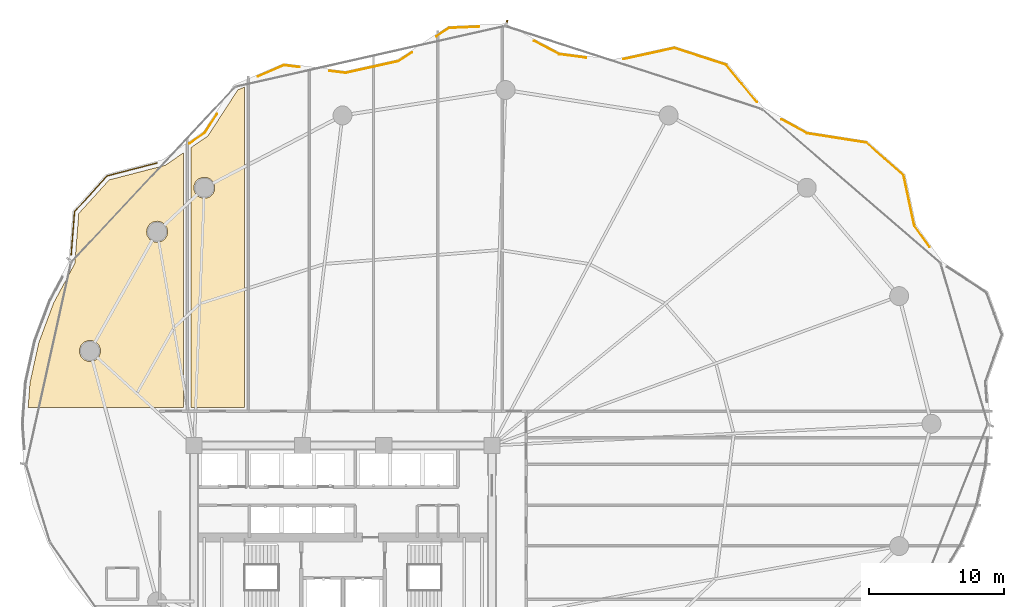
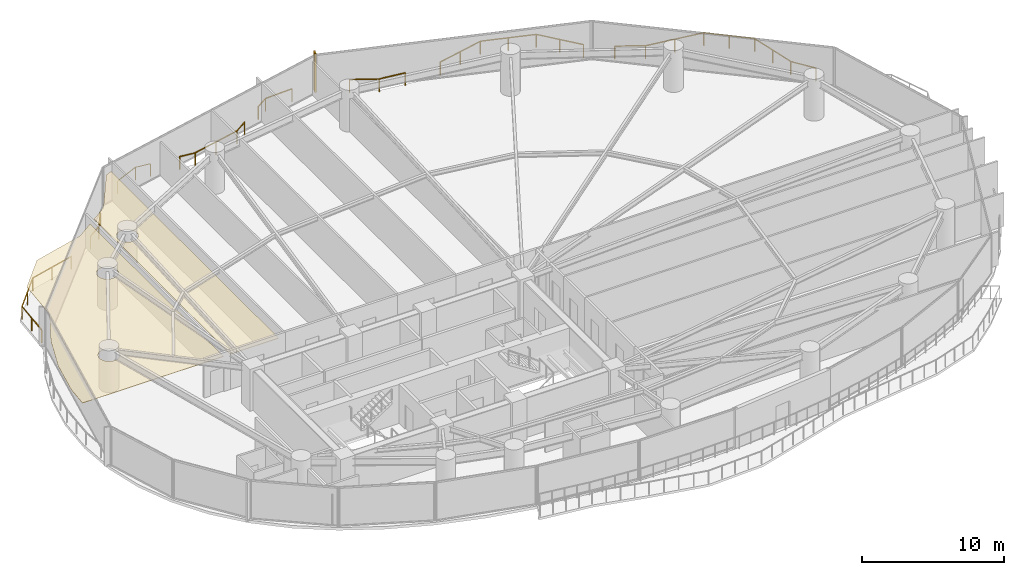
# One storey, part 32 of 33: 8 railings, 2 coverings, 1 shading device.
"""IFC4 building model written with IfcOpenShell, lengths in metres."""

from ifc_helpers import new_model, si_unit, direction, frame, origin, origin_2d, place, context, subcontext, project, spatial, polyline, rectangle, outline, extrude, material, layer, layer_set, type_object, element, save


model = new_model("IFC4")

# Units and contexts
model_context = context("Model", 3, precision=1e-05, world=origin(), true_north=direction((0.0, 1.0)))
body_context = subcontext(model_context, "Body", "Model", "MODEL_VIEW")
ifc_project = project(units=[si_unit("LENGTHUNIT", "METRE"), si_unit("AREAUNIT", "SQUARE_METRE"), si_unit("VOLUMEUNIT", "CUBIC_METRE"), si_unit("PLANEANGLEUNIT", "RADIAN"), si_unit("MASSUNIT", "GRAM", prefix="KILO")], contexts=[model_context])

# Site, building, storey
site_placement = place(None, origin())
site = spatial("IfcSite", under=ifc_project, at=site_placement, CompositionType="ELEMENT")
building_placement = place(site_placement, origin())
building = spatial("IfcBuilding", under=site, at=building_placement, Name="Kazevale Care Tower and Concert Hall", CompositionType="ELEMENT")
storey_placement = place(building_placement, frame((0.0, 0.0, 52.800048828125)))
storey = spatial("IfcBuildingStorey", under=building, at=storey_placement, Name="L13", CompositionType="ELEMENT", Elevation=52.800048828125)

# Coverings
ifc_material_1 = material(Name="Acoustic Plaster and Hinoki Wood", Category="wood")
ifc_layer = layer(ifc_material_1, 0.0400390625)
ifc_layer_set = layer_set([ifc_layer], Name="Acoustic Plaster and Hinoki Wood")
covering_type = type_object("IfcCoveringType", Name="Acoustic Perforated Wood-Gypsum Ceiling", PredefinedType="CEILING", material=ifc_layer_set)
covering_1_placement = place(storey_placement, frame((0.0, 0.0, 2.7099609375)))
element("IfcCovering", 1, at=covering_1_placement, inside=storey, type_object=covering_type, Name="clg:L13:1", PredefinedType="CEILING", context=body_context, shape_type="SweptSolid", body=[
    extrude(outline(polyline([(13.196044921875, 49.843017578125), (13.48291015625, 53.529052734375), (15.735107421875, 56.012939453125), (19.8798828125, 57.091064453125), (21.219970703125, 58.014892578125), (21.219970703125, 39.205078125), (9.7490234375, 39.205078125), (9.881103515625, 41.02392578125), (10.5400390625, 44.010986328125), (11.62890625, 46.925048828125), (13.196044921875, 49.843017578125)]), holes=[polyline([(19.990966796875, 52.47802734375), (19.822021484375, 52.73193359375), (19.568115234375, 52.90087890625), (19.27001953125, 52.9599609375), (18.971923828125, 52.90087890625), (18.718017578125, 52.73193359375), (18.549072265625, 52.47802734375), (18.489990234375, 52.179931640625), (18.549072265625, 51.882080078125), (18.718017578125, 51.6279296875), (18.971923828125, 51.458984375), (19.27001953125, 51.39990234375), (19.568115234375, 51.458984375), (19.822021484375, 51.6279296875), (19.990966796875, 51.882080078125), (20.050048828125, 52.179931640625), (19.990966796875, 52.47802734375)]), polyline([(15.074951171875, 43.531982421875), (14.958984375, 43.81298828125), (14.742919921875, 44.029052734375), (14.4619140625, 44.14501953125), (14.157958984375, 44.14501953125), (13.876953125, 44.029052734375), (13.660888671875, 43.81298828125), (13.544921875, 43.531982421875), (13.544921875, 43.22802734375), (13.660888671875, 42.947021484375), (13.876953125, 42.73095703125), (14.157958984375, 42.614990234375), (14.4619140625, 42.614990234375), (14.742919921875, 42.73095703125), (14.958984375, 42.947021484375), (15.074951171875, 43.22802734375), (15.074951171875, 43.531982421875)])]), origin(), (0.0, 0.0, 1.0), 0.0400390625),
])
covering_2_placement = place(storey_placement, frame((0.0, 0.0, 2.7099609375)))
element("IfcCovering", 2, at=covering_2_placement, inside=storey, type_object=covering_type, Name="clg:L13:2", PredefinedType="CEILING", context=body_context, shape_type="SweptSolid", body=[
    extrude(outline(polyline([(21.780029296875, 39.205078125), (21.780029296875, 58.39990234375), (23.014892578125, 59.2509765625), (25.22607421875, 62.654052734375), (25.719970703125, 62.866943359375), (25.719970703125, 39.205078125), (21.780029296875, 39.205078125)]), holes=[polyline([(23.52490234375, 55.58203125), (23.408935546875, 55.863037109375), (23.193115234375, 56.0791015625), (22.912109375, 56.195068359375), (22.60791015625, 56.195068359375), (22.326904296875, 56.0791015625), (22.111083984375, 55.863037109375), (21.9951171875, 55.58203125), (21.9951171875, 55.278076171875), (22.111083984375, 54.9970703125), (22.326904296875, 54.781005859375), (22.60791015625, 54.6650390625), (22.912109375, 54.6650390625), (23.193115234375, 54.781005859375), (23.408935546875, 54.9970703125), (23.52490234375, 55.278076171875), (23.52490234375, 55.58203125)])]), origin(), (0.0, 0.0, 1.0), 0.0400390625),
])

# Railings
ifc_material_2 = material(Name="Anodised Bronze Aluminium and Laminated Glass", Category="aluminium")
railing_type = type_object("IfcRailingType", Name="Balcony and Terrace Balustrade 1120", PredefinedType="BALUSTRADE", material=ifc_material_2)
railing_1_placement = place(storey_placement, frame((12.925048828125, 50.48291015625, 0.0)))
element("IfcRailing", 3, at=railing_1_placement, inside=storey, type_object=railing_type, Name="rail:L13:perim:2", PredefinedType="BALUSTRADE", context=body_context, shape_type="SweptSolid", body=[
    extrude(rectangle(XDim=0.048095703125, YDim=0.048095703125, at=origin_2d()), frame((0.0, 0.0, 1.09619140625), z_axis=(0.077457363228, 0.996995665428, 0.0), x_axis=(-0.996995665428, 0.077457363228, 0.0)), (0.0, 0.0, 1.0), 3.189697265625),
    extrude(rectangle(XDim=0.048095703125, YDim=0.048095703125, at=origin_2d()), frame((0.2470703125, 3.18017578125, 1.09619140625), z_axis=(0.67167834736, 0.740842896766, 0.0), x_axis=(-0.740842896766, 0.67167834736, 0.0)), (0.0, 0.0, 1.0), 3.55810546875),
    extrude(rectangle(XDim=0.048095703125, YDim=0.048095703125, at=origin_2d()), frame((2.636962890625, 5.816162109375, 1.09619140625), z_axis=(0.967833691326, 0.251590830384, 0.0), x_axis=(-0.251590830384, 0.967833691326, 0.0)), (0.0, 0.0, 1.0), 3.8271484375),
    extrude(rectangle(XDim=0.0419921875, YDim=0.0419921875, at=origin_2d()), origin(), (0.0, 0.0, 1.0), 1.072021484375),
    extrude(rectangle(XDim=0.0419921875, YDim=0.0419921875, at=origin_2d()), frame((0.12353515625, 1.590087890625, 0.0)), (0.0, 0.0, 1.0), 1.072021484375),
    extrude(rectangle(XDim=0.0419921875, YDim=0.0419921875, at=origin_2d()), frame((0.2470703125, 3.18017578125, 0.0)), (0.0, 0.0, 1.0), 1.072021484375),
    extrude(rectangle(XDim=0.0419921875, YDim=0.0419921875, at=origin_2d()), frame((1.44189453125, 4.498046875, 0.0)), (0.0, 0.0, 1.0), 1.072021484375),
    extrude(rectangle(XDim=0.0419921875, YDim=0.0419921875, at=origin_2d()), frame((2.636962890625, 5.816162109375, 0.0)), (0.0, 0.0, 1.0), 1.072021484375),
    extrude(rectangle(XDim=0.0419921875, YDim=0.0419921875, at=origin_2d()), frame((4.489013671875, 6.297607421875, 0.0)), (0.0, 0.0, 1.0), 1.072021484375),
    extrude(rectangle(XDim=0.0419921875, YDim=0.0419921875, at=origin_2d()), frame((6.341064453125, 6.779052734375, 0.0)), (0.0, 0.0, 1.0), 1.072021484375),
])
railing_2_placement = place(storey_placement, frame((21.65087890625, 58.699951171875, 0.0)))
element("IfcRailing", 4, at=railing_2_placement, inside=storey, type_object=railing_type, Name="rail:L13:perim:3", PredefinedType="BALUSTRADE", context=body_context, shape_type="SweptSolid", body=[
    extrude(rectangle(XDim=0.048095703125, YDim=0.048095703125, at=origin_2d()), frame((0.0, 0.0, 1.09619140625), z_axis=(0.823330292932, 0.56756253289, 0.0), x_axis=(-0.56756253289, 0.823330292932, 0.0)), (0.0, 0.0, 1.0), 1.37255859375),
    extrude(rectangle(XDim=0.048095703125, YDim=0.048095703125, at=origin_2d()), frame((1.130126953125, 0.779052734375, 1.09619140625), z_axis=(0.545340812874, 0.838214410407, 0.0), x_axis=(-0.838214410407, 0.545340812874, 0.0)), (0.0, 0.0, 1.0), 1.6796875),
    extrude(rectangle(XDim=0.0419921875, YDim=0.0419921875, at=origin_2d()), origin(), (0.0, 0.0, 1.0), 1.072021484375),
    extrude(rectangle(XDim=0.0419921875, YDim=0.0419921875, at=origin_2d()), frame((1.130126953125, 0.779052734375, 0.0)), (0.0, 0.0, 1.0), 1.072021484375),
    extrude(rectangle(XDim=0.0419921875, YDim=0.0419921875, at=origin_2d()), frame((2.046142578125, 2.18701171875, 0.0)), (0.0, 0.0, 1.0), 1.072021484375),
])
railing_3_placement = place(storey_placement, frame((26.70703125, 63.64306640625, 0.0)))
element("IfcRailing", 5, at=railing_3_placement, inside=storey, type_object=railing_type, Name="rail:L13:perim:4", PredefinedType="BALUSTRADE", context=body_context, shape_type="SweptSolid", body=[
    extrude(rectangle(XDim=0.048095703125, YDim=0.048095703125, at=origin_2d()), frame((0.0, 0.0, 1.09619140625), z_axis=(0.917761192616, 0.397132715007, 0.0), x_axis=(-0.397132715007, 0.917761192616, 0.0)), (0.0, 0.0, 1.0), 2.107421875),
    extrude(rectangle(XDim=0.048095703125, YDim=0.048095703125, at=origin_2d()), frame((1.93408203125, 0.8369140625, 1.09619140625), z_axis=(0.992136908777, -0.125157317977, 0.0), x_axis=(0.125157317977, 0.992136908777, 0.0)), (0.0, 0.0, 1.0), 1.15087890625),
    extrude(rectangle(XDim=0.0419921875, YDim=0.0419921875, at=origin_2d()), origin(), (0.0, 0.0, 1.0), 1.072021484375),
    extrude(rectangle(XDim=0.0419921875, YDim=0.0419921875, at=origin_2d()), frame((1.93408203125, 0.8369140625, 0.0)), (0.0, 0.0, 1.0), 1.072021484375),
    extrude(rectangle(XDim=0.0419921875, YDim=0.0419921875, at=origin_2d()), frame((3.075927734375, 0.69287109375, 0.0)), (0.0, 0.0, 1.0), 1.072021484375),
])
railing_4_placement = place(storey_placement, frame((32.001953125, 64.05810546875, 0.0)))
element("IfcRailing", 6, at=railing_4_placement, inside=storey, type_object=railing_type, Name="rail:L13:perim:5", PredefinedType="BALUSTRADE", context=body_context, shape_type="SweptSolid", body=[
    extrude(rectangle(XDim=0.048095703125, YDim=0.048095703125, at=origin_2d()), frame((0.0, 0.0, 1.09619140625), z_axis=(0.992119329578, -0.125296591644, 0.0), x_axis=(0.125296591644, 0.992119329578, 0.0)), (0.0, 0.0, 1.0), 1.1904296875),
    extrude(rectangle(XDim=0.048095703125, YDim=0.048095703125, at=origin_2d()), frame((1.18115234375, -0.149169921875, 1.09619140625), z_axis=(0.976178445537, 0.216969220097, 0.0), x_axis=(-0.216969220097, 0.976178445537, 0.0)), (0.0, 0.0, 1.0), 4.001220703125),
    extrude(rectangle(XDim=0.048095703125, YDim=0.048095703125, at=origin_2d()), frame((5.087158203125, 0.718994140625, 1.09619140625), z_axis=(0.835832367502, 0.548984747908, 0.0), x_axis=(-0.548984747908, 0.835832367502, 0.0)), (0.0, 0.0, 1.0), 1.185546875),
    extrude(rectangle(XDim=0.0419921875, YDim=0.0419921875, at=origin_2d()), origin(), (0.0, 0.0, 1.0), 1.072021484375),
    extrude(rectangle(XDim=0.0419921875, YDim=0.0419921875, at=origin_2d()), frame((1.18115234375, -0.149169921875, 0.0)), (0.0, 0.0, 1.0), 1.072021484375),
    extrude(rectangle(XDim=0.0419921875, YDim=0.0419921875, at=origin_2d()), frame((3.13427734375, 0.284912109375, 0.0)), (0.0, 0.0, 1.0), 1.072021484375),
    extrude(rectangle(XDim=0.0419921875, YDim=0.0419921875, at=origin_2d()), frame((5.087158203125, 0.718994140625, 0.0)), (0.0, 0.0, 1.0), 1.072021484375),
    extrude(rectangle(XDim=0.0419921875, YDim=0.0419921875, at=origin_2d()), frame((6.078125, 1.369873046875, 0.0)), (0.0, 0.0, 1.0), 1.072021484375),
])
railing_5_placement = place(storey_placement, frame((39.885986328125, 66.614013671875, 0.0)))
element("IfcRailing", 7, at=railing_5_placement, inside=storey, type_object=railing_type, Name="rail:L13:perim:6", PredefinedType="BALUSTRADE", context=body_context, shape_type="SweptSolid", body=[
    extrude(rectangle(XDim=0.048095703125, YDim=0.048095703125, at=origin_2d()), frame((0.0, 0.0, 1.09619140625), z_axis=(0.835903517622, 0.548876406149, 0.0), x_axis=(-0.548876406149, 0.835903517622, 0.0)), (0.0, 0.0, 1.0), 1.115234375),
    extrude(rectangle(XDim=0.048095703125, YDim=0.048095703125, at=origin_2d()), frame((0.93212890625, 0.612060546875, 1.09619140625), z_axis=(0.999043859493, 0.043719181241, 0.0), x_axis=(-0.043719181241, 0.999043859493, 0.0)), (0.0, 0.0, 1.0), 2.217041015625),
    extrude(rectangle(XDim=0.0419921875, YDim=0.0419921875, at=origin_2d()), origin(), (0.0, 0.0, 1.0), 1.072021484375),
    extrude(rectangle(XDim=0.0419921875, YDim=0.0419921875, at=origin_2d()), frame((0.93212890625, 0.612060546875, 0.0)), (0.0, 0.0, 1.0), 1.072021484375),
    extrude(rectangle(XDim=0.0419921875, YDim=0.0419921875, at=origin_2d()), frame((3.14697265625, 0.708984375, 0.0)), (0.0, 0.0, 1.0), 1.072021484375),
])
railing_6_placement = place(storey_placement, frame((47.115966796875, 66.27001953125, 0.0)))
element("IfcRailing", 8, at=railing_6_placement, inside=storey, type_object=railing_type, Name="rail:L13:perim:7", PredefinedType="BALUSTRADE", context=body_context, shape_type="SweptSolid", body=[
    extrude(rectangle(XDim=0.048095703125, YDim=0.048095703125, at=origin_2d()), frame((0.0, 0.0, 1.09619140625), z_axis=(0.883776562896, -0.467909165198, 0.0), x_axis=(0.467909165198, 0.883776562896, 0.0)), (0.0, 0.0, 1.0), 2.09228515625),
    extrude(rectangle(XDim=0.048095703125, YDim=0.048095703125, at=origin_2d()), frame((1.84912109375, -0.97900390625, 1.09619140625), z_axis=(0.991534086176, -0.129846663223, 0.0), x_axis=(0.129846663223, 0.991534086176, 0.0)), (0.0, 0.0, 1.0), 1.994873046875),
    extrude(rectangle(XDim=0.0419921875, YDim=0.0419921875, at=origin_2d()), origin(), (0.0, 0.0, 1.0), 1.072021484375),
    extrude(rectangle(XDim=0.0419921875, YDim=0.0419921875, at=origin_2d()), frame((1.84912109375, -0.97900390625, 0.0)), (0.0, 0.0, 1.0), 1.072021484375),
    extrude(rectangle(XDim=0.0419921875, YDim=0.0419921875, at=origin_2d()), frame((3.8271484375, -1.238037109375, 0.0)), (0.0, 0.0, 1.0), 1.072021484375),
])
railing_7_placement = place(storey_placement, frame((53.72509765625, 64.929931640625, 0.0)))
element("IfcRailing", 9, at=railing_7_placement, inside=storey, type_object=railing_type, Name="rail:L13:perim:8", PredefinedType="BALUSTRADE", context=body_context, shape_type="SweptSolid", body=[
    extrude(rectangle(XDim=0.048095703125, YDim=0.048095703125, at=origin_2d()), frame((0.0, 0.0, 1.09619140625), z_axis=(0.976904182087, 0.213677839331, 0.0), x_axis=(-0.213677839331, 0.976904182087, 0.0)), (0.0, 0.0, 1.0), 3.82421875),
    extrude(rectangle(XDim=0.048095703125, YDim=0.048095703125, at=origin_2d()), frame((3.73583984375, 0.817138671875, 1.09619140625), z_axis=(0.951224739484, -0.308498776326, 0.0), x_axis=(0.308498776326, 0.951224739484, 0.0)), (0.0, 0.0, 1.0), 4.032958984375),
    extrude(rectangle(XDim=0.048095703125, YDim=0.048095703125, at=origin_2d()), frame((7.572021484375, -0.427001953125, 1.09619140625), z_axis=(0.63401399695, -0.773321570675, 0.0), x_axis=(0.773321570675, 0.63401399695, 0.0)), (0.0, 0.0, 1.0), 3.56103515625),
    extrude(rectangle(XDim=0.0419921875, YDim=0.0419921875, at=origin_2d()), origin(), (0.0, 0.0, 1.0), 1.072021484375),
    extrude(rectangle(XDim=0.0419921875, YDim=0.0419921875, at=origin_2d()), frame((1.867919921875, 0.40869140625, 0.0)), (0.0, 0.0, 1.0), 1.072021484375),
    extrude(rectangle(XDim=0.0419921875, YDim=0.0419921875, at=origin_2d()), frame((3.73583984375, 0.817138671875, 0.0)), (0.0, 0.0, 1.0), 1.072021484375),
    extrude(rectangle(XDim=0.0419921875, YDim=0.0419921875, at=origin_2d()), frame((5.65380859375, 0.195068359375, 0.0)), (0.0, 0.0, 1.0), 1.072021484375),
    extrude(rectangle(XDim=0.0419921875, YDim=0.0419921875, at=origin_2d()), frame((7.572021484375, -0.427001953125, 0.0)), (0.0, 0.0, 1.0), 1.072021484375),
    extrude(rectangle(XDim=0.0419921875, YDim=0.0419921875, at=origin_2d()), frame((8.700927734375, -1.803955078125, 0.0)), (0.0, 0.0, 1.0), 1.072021484375),
    extrude(rectangle(XDim=0.0419921875, YDim=0.0419921875, at=origin_2d()), frame((9.829833984375, -3.180908203125, 0.0)), (0.0, 0.0, 1.0), 1.072021484375),
])
railing_8_placement = place(storey_placement, frame((65.375, 60.48291015625, 0.0)))
element("IfcRailing", 10, at=railing_8_placement, inside=storey, type_object=railing_type, Name="rail:L13:perim:9", PredefinedType="BALUSTRADE", context=body_context, shape_type="SweptSolid", body=[
    extrude(rectangle(XDim=0.048095703125, YDim=0.048095703125, at=origin_2d()), frame((0.0, 0.0, 1.09619140625), z_axis=(0.877408218259, -0.479744534656, 0.0), x_axis=(0.479744534656, 0.877408218259, 0.0)), (0.0, 0.0, 1.0), 2.165283203125),
    extrude(rectangle(XDim=0.048095703125, YDim=0.048095703125, at=origin_2d()), frame((1.89990234375, -1.038818359375, 1.09619140625), z_axis=(0.98800015678, -0.154452873728, 0.0), x_axis=(0.154452873728, 0.98800015678, 0.0)), (0.0, 0.0, 1.0), 4.41015625),
    extrude(rectangle(XDim=0.048095703125, YDim=0.048095703125, at=origin_2d()), frame((6.257080078125, -1.719970703125, 1.09619140625), z_axis=(0.752130585126, -0.65901409918, 0.0), x_axis=(0.65901409918, 0.752130585126, 0.0)), (0.0, 0.0, 1.0), 3.662841796875),
    extrude(rectangle(XDim=0.048095703125, YDim=0.048095703125, at=origin_2d()), frame((9.011962890625, -4.1337890625, 1.09619140625), z_axis=(0.208802033864, -0.977957928877, 0.0), x_axis=(0.977957928877, 0.208802033864, 0.0)), (0.0, 0.0, 1.0), 3.80712890625),
    extrude(rectangle(XDim=0.048095703125, YDim=0.048095703125, at=origin_2d()), frame((9.806884765625, -7.85693359375, 1.09619140625), z_axis=(0.582711263324, -0.812679262437, 0.0), x_axis=(0.812679262437, 0.582711263324, 0.0)), (0.0, 0.0, 1.0), 1.94287109375),
    extrude(rectangle(XDim=0.0419921875, YDim=0.0419921875, at=origin_2d()), origin(), (0.0, 0.0, 1.0), 1.072021484375),
    extrude(rectangle(XDim=0.0419921875, YDim=0.0419921875, at=origin_2d()), frame((1.89990234375, -1.038818359375, 0.0)), (0.0, 0.0, 1.0), 1.072021484375),
    extrude(rectangle(XDim=0.0419921875, YDim=0.0419921875, at=origin_2d()), frame((4.07861328125, -1.37939453125, 0.0)), (0.0, 0.0, 1.0), 1.072021484375),
    extrude(rectangle(XDim=0.0419921875, YDim=0.0419921875, at=origin_2d()), frame((6.257080078125, -1.719970703125, 0.0)), (0.0, 0.0, 1.0), 1.072021484375),
    extrude(rectangle(XDim=0.0419921875, YDim=0.0419921875, at=origin_2d()), frame((7.634521484375, -2.9267578125, 0.0)), (0.0, 0.0, 1.0), 1.072021484375),
    extrude(rectangle(XDim=0.0419921875, YDim=0.0419921875, at=origin_2d()), frame((9.011962890625, -4.1337890625, 0.0)), (0.0, 0.0, 1.0), 1.072021484375),
    extrude(rectangle(XDim=0.0419921875, YDim=0.0419921875, at=origin_2d()), frame((9.409423828125, -5.995361328125, 0.0)), (0.0, 0.0, 1.0), 1.072021484375),
    extrude(rectangle(XDim=0.0419921875, YDim=0.0419921875, at=origin_2d()), frame((9.806884765625, -7.85693359375, 0.0)), (0.0, 0.0, 1.0), 1.072021484375),
    extrude(rectangle(XDim=0.0419921875, YDim=0.0419921875, at=origin_2d()), frame((10.93896484375, -9.435791015625, 0.0)), (0.0, 0.0, 1.0), 1.072021484375),
])

# Shading device
ifc_material_3 = material(Name="Honed Ochre Limestone", Category="masonry")
shading_device_type = type_object("IfcShadingDeviceType", Name="Vertical Honed Limestone Fin FIN-01", PredefinedType="USERDEFINED", material=ifc_material_3)
shading_device_placement = place(storey_placement, frame((45.08203125, 67.618408203125, 0.0), z_axis=(0.0, 0.0, 1.0), x_axis=(0.30785482931, 0.951433341896, 0.0)))
element("IfcShadingDevice", 11, at=shading_device_placement, inside=storey, type_object=shading_device_type, Name="cw:L13:f16:fin", ObjectType="FIN", PredefinedType="USERDEFINED", context=body_context, shape_type="SweptSolid", body=[
    extrude(rectangle(XDim=0.3798828125, YDim=0.1201171875, at=origin_2d()), origin(), (0.0, 0.0, 1.0), 3.360107421875),
])

save(model, "model.ifc")
